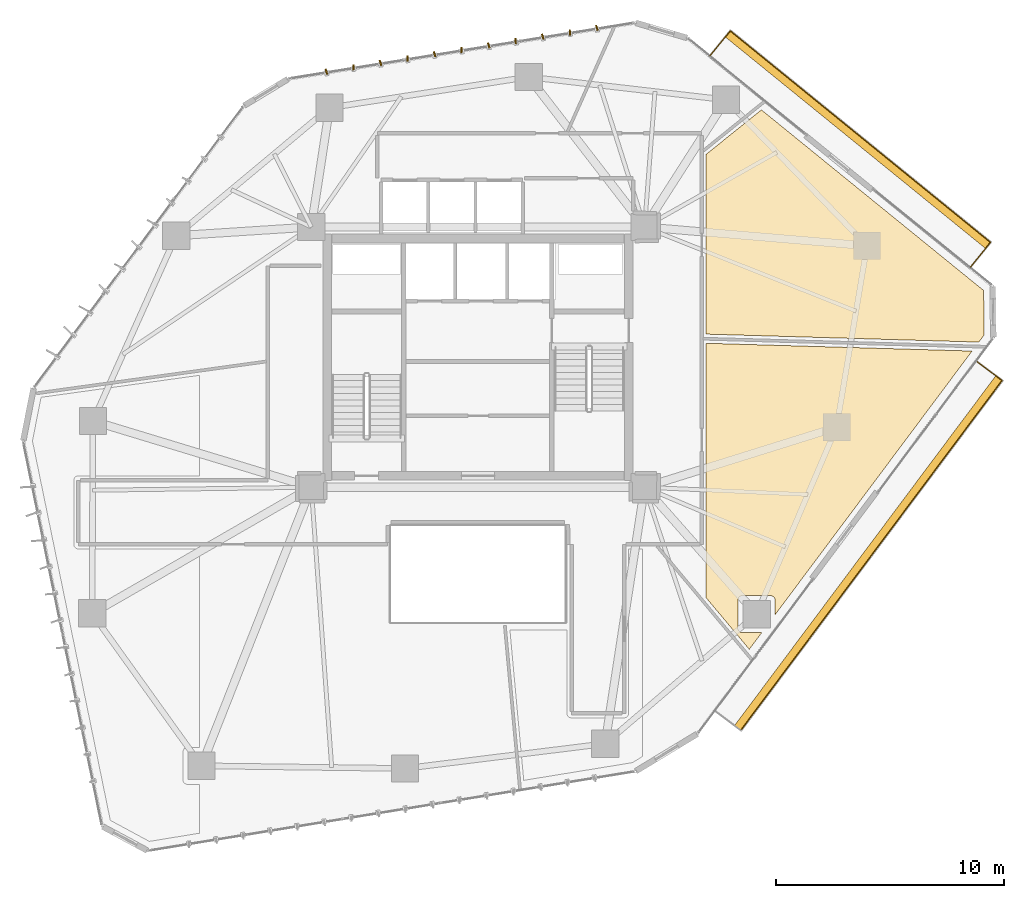
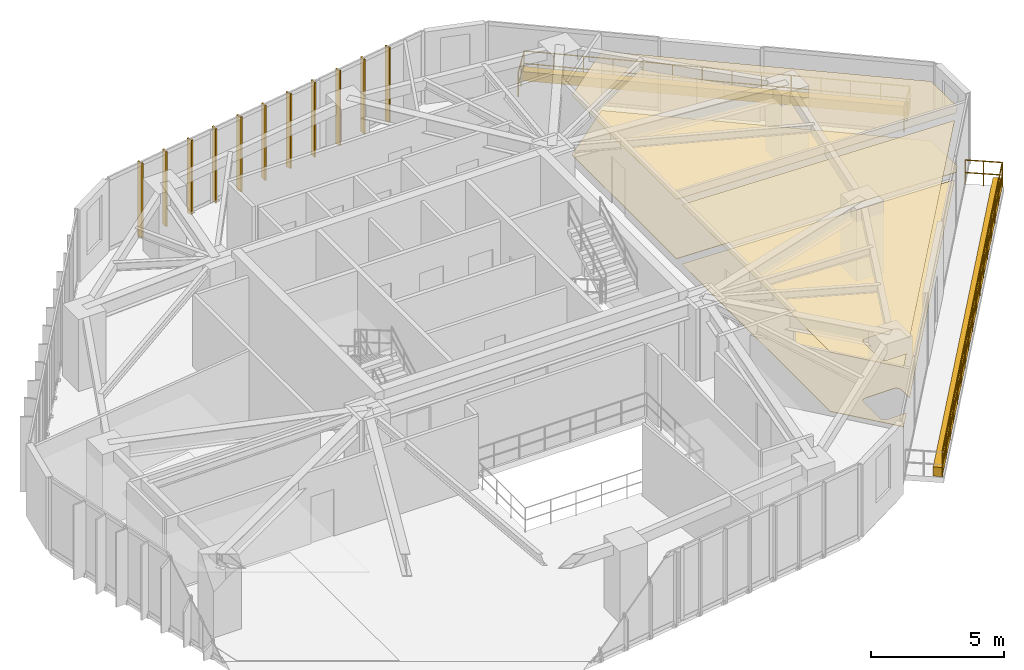
# One storey, part 23 of 23: 11 shading devices, 6 coverings, 5 railings.
"""IFC4 building model written with IfcOpenShell, lengths in metres."""

from ifc_helpers import new_model, si_unit, direction, frame, origin, origin_2d, place, context, subcontext, project, spatial, polyline, rectangle, circle, outline, extrude, source, transform, mapped, material, layer, layer_set, type_object, type_shapes, element, save


model = new_model("IFC4")

# Units and contexts
model_context = context("Model", 3, precision=1e-05, world=origin(), true_north=direction((0.0, 1.0)))
body_context = subcontext(model_context, "Body", "Model", "MODEL_VIEW")
ifc_project = project(units=[si_unit("LENGTHUNIT", "METRE"), si_unit("AREAUNIT", "SQUARE_METRE"), si_unit("VOLUMEUNIT", "CUBIC_METRE"), si_unit("PLANEANGLEUNIT", "RADIAN"), si_unit("MASSUNIT", "GRAM", prefix="KILO")], contexts=[model_context])

# Site, building, storey
site_placement = place(None, origin())
site = spatial("IfcSite", under=ifc_project, at=site_placement, CompositionType="ELEMENT")
building_placement = place(site_placement, origin())
building = spatial("IfcBuilding", under=site, at=building_placement, Name="Talar Marvaseh", CompositionType="ELEMENT")
storey_placement = place(building_placement, frame((0.0, 0.0, 118.199951171875)))
storey = spatial("IfcBuildingStorey", under=building, at=storey_placement, Name="L30", CompositionType="ELEMENT", Elevation=118.199951171875)

# Railings
ifc_material_1 = material(Name="Tempered Clear Glass", Category="glass")
railing_type = type_object("IfcRailingType", Name="External Laminated Glass Terrace Balustrade 1150", PredefinedType="BALUSTRADE", material=ifc_material_1)
railing_1_placement = place(storey_placement, frame((36.16552734375, 44.4013671875, 0.0)))
element("IfcRailing", 1, at=railing_1_placement, inside=storey, type_object=railing_type, Name="L30 External Terrace Balustrade 1 1", PredefinedType="BALUSTRADE", context=body_context, shape_type="SweptSolid", body=[
    extrude(circle(Radius=0.02392578125, at=origin_2d()), frame((0.0, 0.0, 1.1259765625), z_axis=(0.630631737029, 0.776082220034, 0.0), x_axis=(-0.776082220034, 0.630631737029, 0.0)), (0.0, 0.0, 1.0), 1.409912109375),
    extrude(circle(Radius=0.02392578125, at=origin_2d()), frame((0.0, 0.0, 0.55078125), z_axis=(0.630631737029, 0.776082220034, 0.0), x_axis=(-0.776082220034, 0.630631737029, 0.0)), (0.0, 0.0, 1.0), 1.409912109375),
    extrude(circle(Radius=0.02099609375, at=origin_2d()), origin(), (0.0, 0.0, 1.0), 1.101806640625),
    extrude(circle(Radius=0.02099609375, at=origin_2d()), frame((0.444580078125, 0.547119140625, 0.0)), (0.0, 0.0, 1.0), 1.101806640625),
    extrude(circle(Radius=0.02099609375, at=origin_2d()), frame((0.88916015625, 1.09423828125, 0.0)), (0.0, 0.0, 1.0), 1.101806640625),
])
railing_2_placement = place(storey_placement, frame((37.0546875, 45.49560546875, 0.0)))
element("IfcRailing", 2, at=railing_2_placement, inside=storey, type_object=railing_type, Name="L30 External Terrace Balustrade 1 2", PredefinedType="BALUSTRADE", context=body_context, shape_type="SweptSolid", body=[
    extrude(circle(Radius=0.02392578125, at=origin_2d()), frame((0.0, 0.0, 1.1259765625), z_axis=(0.776084517335, -0.630628909861, 0.0), x_axis=(0.630628909861, 0.776084517335, 0.0)), (0.0, 0.0, 1.0), 14.69140625),
    extrude(circle(Radius=0.02392578125, at=origin_2d()), frame((0.0, 0.0, 0.55078125), z_axis=(0.776084517335, -0.630628909861, 0.0), x_axis=(0.630628909861, 0.776084517335, 0.0)), (0.0, 0.0, 1.0), 14.69140625),
    extrude(circle(Radius=0.02099609375, at=origin_2d()), origin(), (0.0, 0.0, 1.0), 1.101806640625),
    extrude(circle(Radius=0.02099609375, at=origin_2d()), frame((0.876953125, -0.712646484375, 0.0)), (0.0, 0.0, 1.0), 1.101806640625),
    extrude(circle(Radius=0.02099609375, at=origin_2d()), frame((1.754150390625, -1.42529296875, 0.0)), (0.0, 0.0, 1.0), 1.101806640625),
    extrude(circle(Radius=0.02099609375, at=origin_2d()), frame((2.631103515625, -2.137939453125, 0.0)), (0.0, 0.0, 1.0), 1.101806640625),
    extrude(circle(Radius=0.02099609375, at=origin_2d()), frame((3.50830078125, -2.850830078125, 0.0)), (0.0, 0.0, 1.0), 1.101806640625),
    extrude(circle(Radius=0.02099609375, at=origin_2d()), frame((4.38525390625, -3.5634765625, 0.0)), (0.0, 0.0, 1.0), 1.101806640625),
    extrude(circle(Radius=0.02099609375, at=origin_2d()), frame((5.262451171875, -4.276123046875, 0.0)), (0.0, 0.0, 1.0), 1.101806640625),
    extrude(circle(Radius=0.02099609375, at=origin_2d()), frame((6.139404296875, -4.98876953125, 0.0)), (0.0, 0.0, 1.0), 1.101806640625),
    extrude(circle(Radius=0.02099609375, at=origin_2d()), frame((7.0166015625, -5.701416015625, 0.0)), (0.0, 0.0, 1.0), 1.101806640625),
    extrude(circle(Radius=0.02099609375, at=origin_2d()), frame((7.8935546875, -6.4140625, 0.0)), (0.0, 0.0, 1.0), 1.101806640625),
    extrude(circle(Radius=0.02099609375, at=origin_2d()), frame((8.770751953125, -7.126953125, 0.0)), (0.0, 0.0, 1.0), 1.101806640625),
    extrude(circle(Radius=0.02099609375, at=origin_2d()), frame((9.647705078125, -7.839599609375, 0.0)), (0.0, 0.0, 1.0), 1.101806640625),
    extrude(circle(Radius=0.02099609375, at=origin_2d()), frame((10.52490234375, -8.55224609375, 0.0)), (0.0, 0.0, 1.0), 1.101806640625),
    extrude(circle(Radius=0.02099609375, at=origin_2d()), frame((11.40185546875, -9.264892578125, 0.0)), (0.0, 0.0, 1.0), 1.101806640625),
])
railing_3_placement = place(storey_placement, frame((48.45654296875, 36.230712890625, 0.0)))
element("IfcRailing", 3, at=railing_3_placement, inside=storey, type_object=railing_type, Name="L30 External Terrace Balustrade 1 3", PredefinedType="BALUSTRADE", context=body_context, shape_type="SweptSolid", body=[
    extrude(circle(Radius=0.02392578125, at=origin_2d()), frame((0.0, 0.0, 1.1259765625), z_axis=(-0.630631737029, -0.776082220034, 0.0), x_axis=(0.776082220034, -0.630631737029, 0.0)), (0.0, 0.0, 1.0), 1.409912109375),
    extrude(circle(Radius=0.02392578125, at=origin_2d()), frame((0.0, 0.0, 0.55078125), z_axis=(-0.630631737029, -0.776082220034, 0.0), x_axis=(0.776082220034, -0.630631737029, 0.0)), (0.0, 0.0, 1.0), 1.409912109375),
    extrude(circle(Radius=0.02099609375, at=origin_2d()), origin(), (0.0, 0.0, 1.0), 1.101806640625),
    extrude(circle(Radius=0.02099609375, at=origin_2d()), frame((-0.444580078125, -0.547119140625, 0.0)), (0.0, 0.0, 1.0), 1.101806640625),
    extrude(circle(Radius=0.02099609375, at=origin_2d()), frame((-0.88916015625, -1.09423828125, 0.0)), (0.0, 0.0, 1.0), 1.101806640625),
])
railing_4_placement = place(storey_placement, frame((47.8349609375, 31.0205078125, 0.0)))
element("IfcRailing", 4, at=railing_4_placement, inside=storey, type_object=railing_type, Name="L30 External Terrace Balustrade 2 1", PredefinedType="BALUSTRADE", context=body_context, shape_type="SweptSolid", body=[
    extrude(circle(Radius=0.02392578125, at=origin_2d()), frame((0.0, 0.0, 1.1259765625), z_axis=(0.801099797063, -0.598530797157, 0.0), x_axis=(0.598530797157, 0.801099797063, 0.0)), (0.0, 0.0, 1.0), 1.41015625),
    extrude(circle(Radius=0.02392578125, at=origin_2d()), frame((0.0, 0.0, 0.55078125), z_axis=(0.801099797063, -0.598530797157, 0.0), x_axis=(0.598530797157, 0.801099797063, 0.0)), (0.0, 0.0, 1.0), 1.41015625),
    extrude(circle(Radius=0.02099609375, at=origin_2d()), origin(), (0.0, 0.0, 1.0), 1.101806640625),
    extrude(circle(Radius=0.02099609375, at=origin_2d()), frame((0.56494140625, -0.421875, 0.0)), (0.0, 0.0, 1.0), 1.101806640625),
    extrude(circle(Radius=0.02099609375, at=origin_2d()), frame((1.129638671875, -0.843994140625, 0.0)), (0.0, 0.0, 1.0), 1.101806640625),
])
railing_5_placement = place(storey_placement, frame((48.964599609375, 30.176513671875, 0.0)))
element("IfcRailing", 5, at=railing_5_placement, inside=storey, type_object=railing_type, Name="L30 External Terrace Balustrade 2 2", PredefinedType="BALUSTRADE", context=body_context, shape_type="SweptSolid", body=[
    extrude(circle(Radius=0.02392578125, at=origin_2d()), frame((0.0, 0.0, 1.1259765625), z_axis=(-0.598452113127, -0.801158578743, 0.0), x_axis=(0.801158578743, -0.598452113127, 0.0)), (0.0, 0.0, 1.0), 19.117431640625),
    extrude(circle(Radius=0.02392578125, at=origin_2d()), frame((0.0, 0.0, 0.55078125), z_axis=(-0.598452113127, -0.801158578743, 0.0), x_axis=(0.801158578743, -0.598452113127, 0.0)), (0.0, 0.0, 1.0), 19.117431640625),
    extrude(circle(Radius=0.02099609375, at=origin_2d()), origin(), (0.0, 0.0, 1.0), 1.101806640625),
    extrude(circle(Radius=0.02099609375, at=origin_2d()), frame((-0.715087890625, -0.957275390625, 0.0)), (0.0, 0.0, 1.0), 1.101806640625),
    extrude(circle(Radius=0.02099609375, at=origin_2d()), frame((-1.43017578125, -1.91455078125, 0.0)), (0.0, 0.0, 1.0), 1.101806640625),
    extrude(circle(Radius=0.02099609375, at=origin_2d()), frame((-2.145263671875, -2.871826171875, 0.0)), (0.0, 0.0, 1.0), 1.101806640625),
    extrude(circle(Radius=0.02099609375, at=origin_2d()), frame((-2.8603515625, -3.8291015625, 0.0)), (0.0, 0.0, 1.0), 1.101806640625),
    extrude(circle(Radius=0.02099609375, at=origin_2d()), frame((-3.5751953125, -4.786376953125, 0.0)), (0.0, 0.0, 1.0), 1.101806640625),
    extrude(circle(Radius=0.02099609375, at=origin_2d()), frame((-4.290283203125, -5.74365234375, 0.0)), (0.0, 0.0, 1.0), 1.101806640625),
    extrude(circle(Radius=0.02099609375, at=origin_2d()), frame((-5.00537109375, -6.700927734375, 0.0)), (0.0, 0.0, 1.0), 1.101806640625),
    extrude(circle(Radius=0.02099609375, at=origin_2d()), frame((-5.720458984375, -7.658203125, 0.0)), (0.0, 0.0, 1.0), 1.101806640625),
    extrude(circle(Radius=0.02099609375, at=origin_2d()), frame((-6.435546875, -8.615234375, 0.0)), (0.0, 0.0, 1.0), 1.101806640625),
    extrude(circle(Radius=0.02099609375, at=origin_2d()), frame((-7.150634765625, -9.572509765625, 0.0)), (0.0, 0.0, 1.0), 1.101806640625),
    extrude(circle(Radius=0.02099609375, at=origin_2d()), frame((-7.86572265625, -10.52978515625, 0.0)), (0.0, 0.0, 1.0), 1.101806640625),
    extrude(circle(Radius=0.02099609375, at=origin_2d()), frame((-8.58056640625, -11.487060546875, 0.0)), (0.0, 0.0, 1.0), 1.101806640625),
    extrude(circle(Radius=0.02099609375, at=origin_2d()), frame((-9.295654296875, -12.4443359375, 0.0)), (0.0, 0.0, 1.0), 1.101806640625),
    extrude(circle(Radius=0.02099609375, at=origin_2d()), frame((-10.0107421875, -13.401611328125, 0.0)), (0.0, 0.0, 1.0), 1.101806640625),
    extrude(circle(Radius=0.02099609375, at=origin_2d()), frame((-10.725830078125, -14.35888671875, 0.0)), (0.0, 0.0, 1.0), 1.101806640625),
    extrude(circle(Radius=0.02099609375, at=origin_2d()), frame((-11.44091796875, -15.316162109375, 0.0)), (0.0, 0.0, 1.0), 1.101806640625),
])

# Coverings
ifc_material_2 = material(Name="Mineral Fibre Acoustic Ceiling")
ifc_layer_1 = layer(ifc_material_2, 0.02490234375)
ifc_layer_set_1 = layer_set([ifc_layer_1], Name="Mineral Fibre Acoustic Ceiling")
covering_type_1 = type_object("IfcCoveringType", Name="Perforated Mineral Fibre Acoustic Suspended Ceiling", PredefinedType="CEILING", material=ifc_layer_set_1)
covering_1_placement = place(storey_placement, frame((0.0, 0.0, 2.719970703125)))
element("IfcCovering", 6, at=covering_1_placement, inside=storey, type_object=covering_type_1, Name="L30 Archival Research Office Acoustic Ceiling", PredefinedType="CEILING", context=body_context, shape_type="SweptSolid", body=[
    extrude(outline(polyline([(47.644287109375, 31.467041015625), (39.018798828125, 19.919677734375), (39.02099609375, 20.541748046875), (39.02001953125, 20.560302734375), (39.017578125, 20.578857421875), (39.01318359375, 20.596923828125), (39.00732421875, 20.614501953125), (39.0, 20.631591796875), (38.990966796875, 20.64794921875), (38.980224609375, 20.663330078125), (38.968505859375, 20.677490234375), (38.955078125, 20.690673828125), (38.940185546875, 20.7041015625), (38.926025390625, 20.716064453125), (38.91064453125, 20.726318359375), (38.89453125, 20.7353515625), (38.877685546875, 20.74267578125), (38.860107421875, 20.74853515625), (38.842041015625, 20.752685546875), (38.82373046875, 20.755126953125), (38.805419921875, 20.756103515625), (37.5947265625, 20.751708984375), (37.5751953125, 20.75048828125), (37.555908203125, 20.74755859375), (37.536865234375, 20.742919921875), (37.518310546875, 20.736083984375), (37.500732421875, 20.727783203125), (37.48388671875, 20.717529296875), (37.46826171875, 20.705810546875), (37.45361328125, 20.69287109375), (37.440673828125, 20.67822265625), (37.428955078125, 20.66259765625), (37.4189453125, 20.645751953125), (37.41064453125, 20.6279296875), (37.404052734375, 20.609619140625), (37.399169921875, 20.590576171875), (37.396484375, 20.5712890625), (37.3955078125, 20.551513671875), (37.3955078125, 19.330322265625), (37.396484375, 19.310791015625), (37.399169921875, 19.29150390625), (37.404052734375, 19.272216796875), (37.41064453125, 19.25390625), (37.4189453125, 19.236083984375), (37.42919921875, 19.21923828125), (37.44091796875, 19.20361328125), (37.4541015625, 19.18896484375), (37.468505859375, 19.17578125), (37.484375, 19.1640625), (37.501220703125, 19.154052734375), (37.518798828125, 19.1455078125), (37.537353515625, 19.138916015625), (37.556396484375, 19.13427734375), (37.57568359375, 19.13134765625), (37.595458984375, 19.13037109375), (38.42919921875, 19.13037109375), (37.88525390625, 18.402099609375), (36.0, 20.656005859375), (36.0, 23.0), (36.0, 31.8076171875), (47.644287109375, 31.467041015625)])), origin(), (0.0, 0.0, 1.0), 0.025146484375),
])
covering_2_placement = place(storey_placement, frame((0.0, 0.0, 2.719970703125)))
element("IfcCovering", 7, at=covering_2_placement, inside=storey, type_object=covering_type_1, Name="L30 Visitor Orientation Foyer Acoustic Ceiling", PredefinedType="CEILING", context=body_context, shape_type="SweptSolid", body=[
    extrude(outline(polyline([(36.0, 40.08740234375), (38.41650390625, 42.031005859375), (48.1494140625, 34.122314453125), (48.17724609375, 32.180419921875), (47.93701171875, 31.858642578125), (36.0, 32.20751953125), (36.0, 40.08740234375)])), origin(), (0.0, 0.0, 1.0), 0.025146484375),
])
ifc_material_3 = material(Name="Planted Terrace Vegetated Substrate")
ifc_layer_2 = layer(ifc_material_3, 0.39990234375)
ifc_layer_set_2 = layer_set([ifc_layer_2], Name="Planted Terrace Vegetated Substrate")
covering_type_2 = type_object("IfcCoveringType", Name="Planted Terrace Soil Planter Box Cladding", PredefinedType="CLADDING", material=ifc_layer_set_2)
covering_3_placement = place(storey_placement, origin())
element("IfcCovering", 8, at=covering_3_placement, inside=storey, type_object=covering_type_2, Name="L30 Balcony Structural Planter 1", PredefinedType="CLADDING", context=body_context, shape_type="SweptSolid", body=[
    extrude(outline(polyline([(37.0546875, 45.49560546875), (48.45654296875, 36.230712890625), (48.23583984375, 35.958984375), (36.833984375, 45.22412109375), (37.0546875, 45.49560546875)])), origin(), (0.0, 0.0, 1.0), 0.420166015625),
])
covering_4_placement = place(storey_placement, origin())
element("IfcCovering", 9, at=covering_4_placement, inside=storey, type_object=covering_type_2, Name="L30 Balcony Structural Planter 2", PredefinedType="CLADDING", context=body_context, shape_type="SweptSolid", body=[
    extrude(outline(polyline([(48.964599609375, 30.176513671875), (37.523681640625, 14.8603515625), (37.243408203125, 15.069580078125), (48.684326171875, 30.385986328125), (48.964599609375, 30.176513671875)])), origin(), (0.0, 0.0, 1.0), 0.420166015625),
])
ifc_material_4 = material(Name="Porcelain Stoneware Tile", Category="masonry")
ifc_layer_3 = layer(ifc_material_4, 0.02001953125)
ifc_layer_set_3 = layer_set([ifc_layer_3], Name="Porcelain Stoneware Tile")
covering_type_3 = type_object("IfcCoveringType", Name="Polished Porcelain Stoneware Gallery Flooring", PredefinedType="FLOORING", material=ifc_layer_set_3)
covering_5_placement = place(storey_placement, origin())
element("IfcCovering", 10, at=covering_5_placement, inside=storey, type_object=covering_type_3, Name="L30 Archival Research Office Flooring", PredefinedType="FLOORING", context=body_context, shape_type="SweptSolid", body=[
    extrude(outline(polyline([(47.644287109375, 31.467041015625), (39.018798828125, 19.919677734375), (39.02099609375, 20.541748046875), (39.02001953125, 20.560302734375), (39.017578125, 20.578857421875), (39.01318359375, 20.596923828125), (39.00732421875, 20.614501953125), (39.0, 20.631591796875), (38.990966796875, 20.64794921875), (38.980224609375, 20.663330078125), (38.968505859375, 20.677490234375), (38.955078125, 20.690673828125), (38.940185546875, 20.7041015625), (38.926025390625, 20.716064453125), (38.91064453125, 20.726318359375), (38.89453125, 20.7353515625), (38.877685546875, 20.74267578125), (38.860107421875, 20.74853515625), (38.842041015625, 20.752685546875), (38.82373046875, 20.755126953125), (38.805419921875, 20.756103515625), (37.5947265625, 20.751708984375), (37.5751953125, 20.75048828125), (37.555908203125, 20.74755859375), (37.536865234375, 20.742919921875), (37.518310546875, 20.736083984375), (37.500732421875, 20.727783203125), (37.48388671875, 20.717529296875), (37.46826171875, 20.705810546875), (37.45361328125, 20.69287109375), (37.440673828125, 20.67822265625), (37.428955078125, 20.66259765625), (37.4189453125, 20.645751953125), (37.41064453125, 20.6279296875), (37.404052734375, 20.609619140625), (37.399169921875, 20.590576171875), (37.396484375, 20.5712890625), (37.3955078125, 20.551513671875), (37.3955078125, 19.330322265625), (37.396484375, 19.310791015625), (37.399169921875, 19.29150390625), (37.404052734375, 19.272216796875), (37.41064453125, 19.25390625), (37.4189453125, 19.236083984375), (37.42919921875, 19.21923828125), (37.44091796875, 19.20361328125), (37.4541015625, 19.18896484375), (37.468505859375, 19.17578125), (37.484375, 19.1640625), (37.501220703125, 19.154052734375), (37.518798828125, 19.1455078125), (37.537353515625, 19.138916015625), (37.556396484375, 19.13427734375), (37.57568359375, 19.13134765625), (37.595458984375, 19.13037109375), (38.42919921875, 19.13037109375), (37.88525390625, 18.402099609375), (36.0, 20.656005859375), (36.0, 23.0), (36.0, 31.8076171875), (47.644287109375, 31.467041015625)])), origin(), (0.0, 0.0, 1.0), 0.02001953125),
])
covering_6_placement = place(storey_placement, origin())
element("IfcCovering", 11, at=covering_6_placement, inside=storey, type_object=covering_type_3, Name="L30 Visitor Orientation Foyer Flooring", PredefinedType="FLOORING", context=body_context, shape_type="SweptSolid", body=[
    extrude(outline(polyline([(36.0, 40.08740234375), (38.41650390625, 42.031005859375), (48.1494140625, 34.122314453125), (48.17724609375, 32.180419921875), (47.93701171875, 31.858642578125), (36.0, 32.20751953125), (36.0, 40.08740234375)])), origin(), (0.0, 0.0, 1.0), 0.02001953125),
])

# Shading devices
ifc_material_5 = material(Name="Anodised Champagne Bronze Aluminium", Category="aluminium")
ifc_layer_4 = layer(ifc_material_5, 0.06494140625)
ifc_layer_set_4 = layer_set([ifc_layer_4], Name="Anodised Champagne Bronze Aluminium")
shading_device_type = type_object("IfcShadingDeviceType", Name="Sawtooth Champagne Bronze Vertical Fin 240", PredefinedType="USERDEFINED", material=ifc_layer_set_4)
shared_shape = source(origin(), body_context, "Body", "SweptSolid", [
    extrude(rectangle(XDim=0.239990234375, YDim=0.06494140625, at=origin_2d()), origin(), (0.0, 0.0, 1.0), 3.429931640625),
])
type_shapes(shading_device_type, [shared_shape])
for number, where, z_axis, x_axis, name in (
    (12, (19.36279296875, 43.705810546875, -0.1201171875), (0.0, 0.0, 1.0), (-0.295374576981, 0.955381525503, 0.0), "L30 Sawtooth Vertical Solar Fin"),
    (13, (20.54736328125, 43.897216796875, -0.1201171875), (0.0, 0.0, 1.0), (-0.02059342932, 0.999787932848, 0.0), "L30 Sawtooth Vertical Solar Fin"),
    (14, (21.73193359375, 44.088623046875, -0.1201171875), (0.0, 0.0, 1.0), (-0.295374576981, 0.955381525503, 0.0), "L30 Sawtooth Vertical Solar Fin"),
    (15, (22.91650390625, 44.2802734375, -0.1201171875), (0.0, 0.0, 1.0), (-0.02059342932, 0.999787932848, 0.0), "L30 Sawtooth Vertical Solar Fin"),
    (16, (24.101318359375, 44.4716796875, -0.1201171875), (0.0, 0.0, 1.0), (-0.295374576981, 0.955381525503, 0.0), "L30 Sawtooth Vertical Solar Fin"),
    (17, (25.285888671875, 44.6630859375, -0.1201171875), (0.0, 0.0, 1.0), (-0.02059342932, 0.999787932848, 0.0), "L30 Sawtooth Vertical Solar Fin"),
    (18, (26.470458984375, 44.8544921875, -0.1201171875), (0.0, 0.0, 1.0), (-0.295374576981, 0.955381525503, 0.0), "L30 Sawtooth Vertical Solar Fin"),
    (19, (27.655029296875, 45.046142578125, -0.1201171875), (0.0, 0.0, 1.0), (-0.02059342932, 0.999787932848, 0.0), "L30 Sawtooth Vertical Solar Fin"),
    (20, (28.83984375, 45.237548828125, -0.1201171875), (0.0, 0.0, 1.0), (-0.295374576981, 0.955381525503, 0.0), "L30 Sawtooth Vertical Solar Fin"),
    (21, (30.0244140625, 45.42919921875, -0.1201171875), (0.0, 0.0, 1.0), (-0.02059342932, 0.999787932848, 0.0), "L30 Sawtooth Vertical Solar Fin"),
    (22, (31.208984375, 45.62060546875, -0.1201171875), (0.0, 0.0, 1.0), (-0.295374576981, 0.955381525503, 0.0), "L30 Sawtooth Vertical Solar Fin"),
):
    element("IfcShadingDevice", number, at=place(storey_placement, frame(where, z_axis=z_axis, x_axis=x_axis)), inside=storey, type_object=shading_device_type, Name=name, ObjectType="FIN", PredefinedType="USERDEFINED", context=body_context, shape_type="MappedRepresentation", body=[
        mapped(shared_shape, transform((0.0, 0.0, 0.0), x_axis=(1.0, 0.0, 0.0), y_axis=(0.0, 1.0, 0.0), z_axis=(0.0, 0.0, 1.0), scale=1.0)),
    ])

save(model, "model.ifc")
